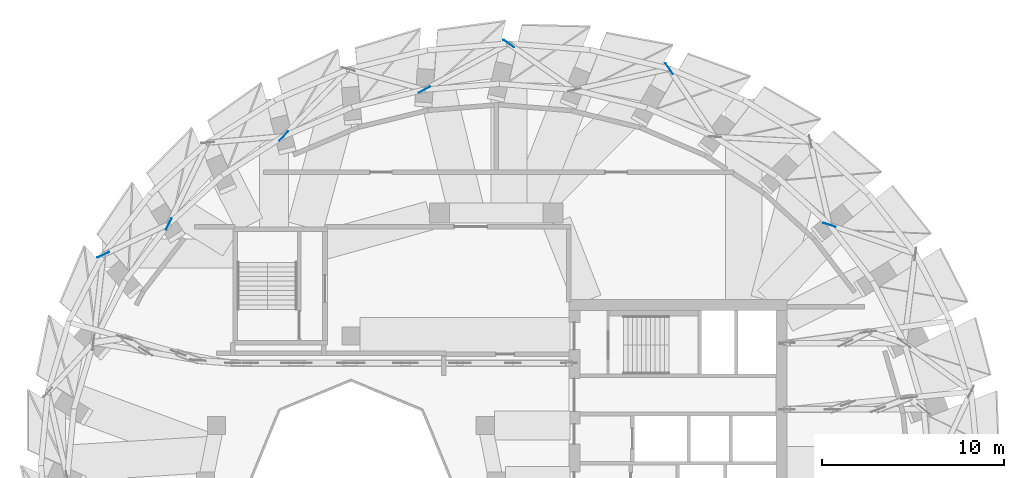
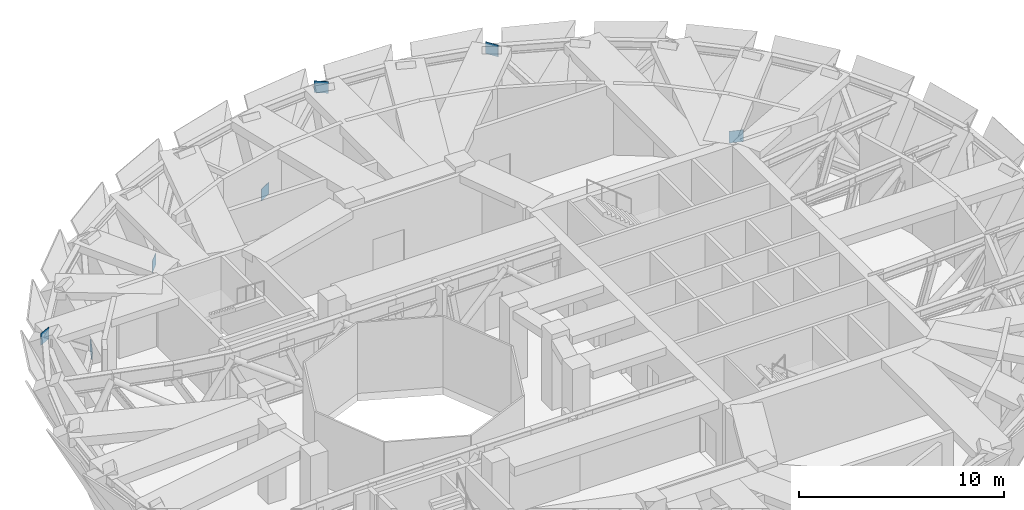
# One storey, part 12 of 16: 7 discrete accessories.
"""IFC4 building model written with IfcOpenShell, lengths in metres."""

from ifc_helpers import new_model, si_unit, direction, frame, origin, origin_2d, place, context, subcontext, project, spatial, rectangle, extrude, material, type_object, element, save


model = new_model("IFC4")

# Units and contexts
model_context = context("Model", 3, precision=1e-05, world=origin(), true_north=direction((0.0, 1.0)))
body_context = subcontext(model_context, "Body", "Model", "MODEL_VIEW")
ifc_project = project(units=[si_unit("LENGTHUNIT", "METRE"), si_unit("AREAUNIT", "SQUARE_METRE"), si_unit("VOLUMEUNIT", "CUBIC_METRE"), si_unit("PLANEANGLEUNIT", "RADIAN"), si_unit("MASSUNIT", "GRAM", prefix="KILO")], contexts=[model_context])

# Site, building, storey
site_placement = place(None, origin())
site = spatial("IfcSite", under=ifc_project, at=site_placement, CompositionType="ELEMENT")
building_placement = place(site_placement, origin())
building = spatial("IfcBuilding", under=site, at=building_placement, Name="Taillehof Tower", CompositionType="ELEMENT")
storey_placement = place(building_placement, frame((0.0, 0.0, 184.699951171875)))
storey = spatial("IfcBuildingStorey", under=building, at=storey_placement, Name="L52", CompositionType="ELEMENT", Elevation=184.699951171875)

# Discrete accessories
ifc_material = material(Name="Steel S460M", Category="steel")
discrete_accessory_type = type_object("IfcDiscreteAccessoryType", Name="Steel gusset plate", PredefinedType="BRACKET", material=ifc_material)
for number, where, z_axis, x_axis, name in (
    (1, (-21.6298828125, 12.4599609375, 3.6201171875), (0.0, 0.0, 1.0), (-0.904879807397, -0.425667163597, 0.0), "Gusset plate 211"),
    (2, (-18.030029296875, 14.14990234375, 0.55029296875), (0.0, 0.0, 1.0), (-0.431914175563, -0.901914710462, 0.0), "Gusset plate 216"),
    (3, (-11.699951171875, 18.989990234375, 0.55029296875), (0.0, 0.0, 1.0), (-0.695556754936, -0.718471155067, 0.0), "Gusset plate 224"),
    (4, (-3.949951171875, 21.550048828125, 0.55029296875), (0.0, 0.0, 1.0), (-0.87730368833, -0.479935660732, 0.0), "Gusset plate 233"),
    (5, (0.68994140625, 24.090087890625, 3.6201171875), (0.0, 0.0, 1.0), (-0.817073461504, 0.576533571013, 0.0), "Gusset plate 239"),
    (6, (9.52001953125, 22.7099609375, 3.6201171875), (0.0, 0.0, 1.0), (-0.55766543095, 0.830065820958, 0.0), "Gusset plate 247"),
    (7, (18.340087890625, 14.110107421875, 0.55029296875), (0.0, 0.0, 1.0), (-0.947211956459, 0.320608031, 0.0), "Gusset plate 256"),
):
    element("IfcDiscreteAccessory", number, at=place(storey_placement, frame(where, z_axis=z_axis, x_axis=x_axis)), inside=storey, type_object=discrete_accessory_type, Name=name, PredefinedType="BRACKET", context=body_context, shape_type="SweptSolid", body=[
        extrude(rectangle(XDim=0.699951171875, YDim=0.02490234375, at=origin_2d()), origin(), (0.0, 0.0, 1.0), 0.699951171875),
    ])

save(model, "model.ifc")
